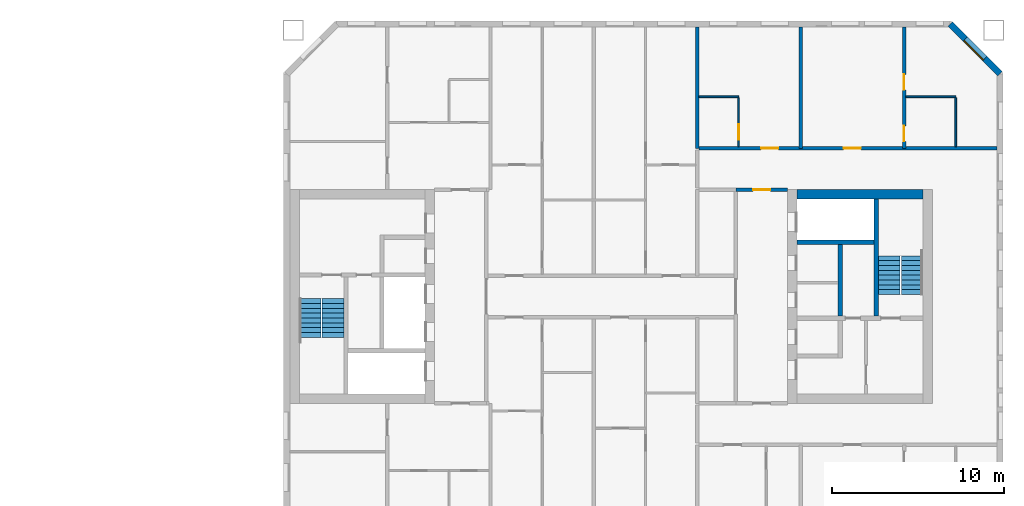
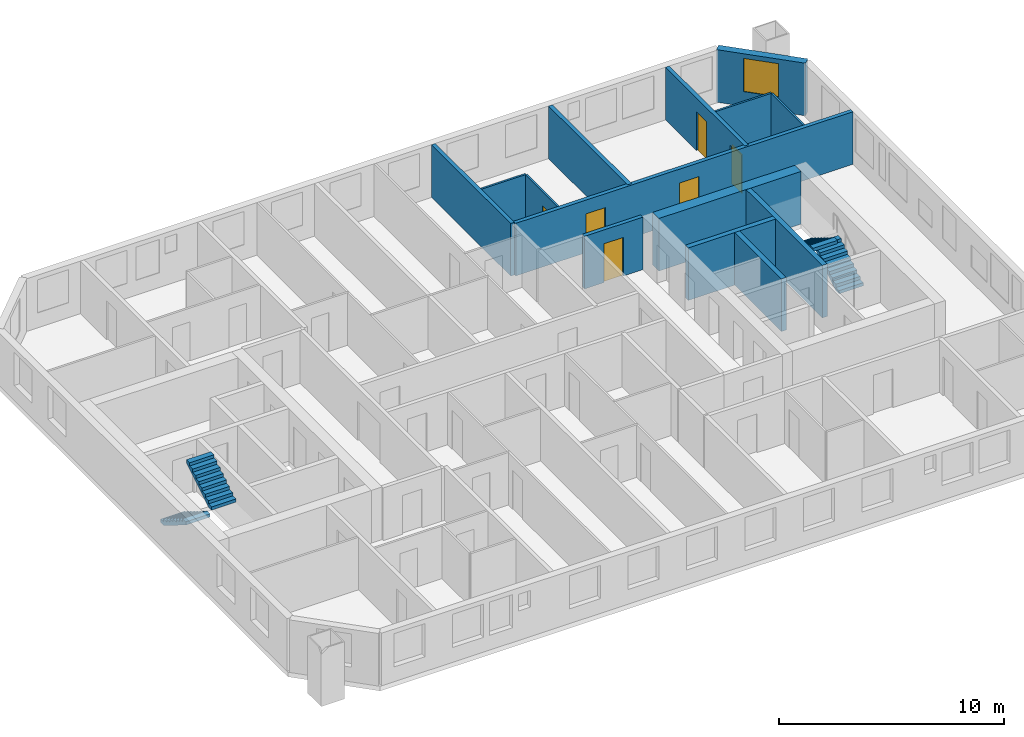
# One storey, part 14 of 16: 14 walls, 6 doors, 4 stair flights, 1 window, 7 openings, 2 elements without a shape of their own.
"""IFC4 building model written with IfcOpenShell, lengths in metres."""

from ifc_helpers import new_model, si_unit, direction, frame, frame_2d, origin, place, context, subcontext, project, spatial, polyline, rectangle, outline, extrude, material, layer, layer_set, type_object, element, fill, aggregate, save


model = new_model("IFC4")

# Units and contexts
model_context = context("Model", 3, precision=1e-05, world=origin(), true_north=direction((0.0, 1.0)))
body_context = subcontext(model_context, "Body", "Model", "MODEL_VIEW")
ifc_project = project(units=[si_unit("LENGTHUNIT", "METRE"), si_unit("AREAUNIT", "SQUARE_METRE"), si_unit("VOLUMEUNIT", "CUBIC_METRE"), si_unit("PLANEANGLEUNIT", "RADIAN"), si_unit("MASSUNIT", "GRAM", prefix="KILO")], contexts=[model_context])

# Site, building, storey
site_placement = place(None, origin())
site = spatial("IfcSite", under=ifc_project, at=site_placement, CompositionType="ELEMENT")
building_placement = place(site_placement, origin())
building = spatial("IfcBuilding", under=site, at=building_placement, Name="Tuart Gate Housing", CompositionType="ELEMENT")
storey_placement = place(building_placement, frame((0.0, 0.0, 129.89990234375)))
storey = spatial("IfcBuildingStorey", under=building, at=storey_placement, Name="L36", CompositionType="ELEMENT", Elevation=129.89990234375)

# Wall, opening, window
ifc_material_1 = material(Name="Brick", Category="masonry")
ifc_layer_1 = layer(ifc_material_1, 0.360107421875)
ifc_layer_set_1 = layer_set([ifc_layer_1], Name="Brick pier and spandrel wall 360")
wall_type_1 = type_object("IfcWallType", Name="Brick pier and spandrel wall 360", PredefinedType="STANDARD", material=ifc_layer_set_1)
wall_1_placement = place(storey_placement, frame((172.570068359375, 82.92529296875, 0.0), z_axis=(0.0, 0.0, 1.0), x_axis=(-0.707106781187, 0.707106781187, 0.0)))
wall_1 = element("IfcWall", 1, at=wall_1_placement, inside=storey, type_object=wall_type_1, Name="External wall B-NE L36", PredefinedType="STANDARD", context=body_context, shape_type="SweptSolid", body=[
    extrude(rectangle(XDim=4.09375, YDim=0.360107421875, at=frame_2d((2.046875, 0.0))), origin(), (0.0, 0.0, 1.0), 2.85009765625),
])
opening_1_placement = place(wall_1_placement, frame((1.2470703125, 0.0, 0.800048828125)))
opening_1 = element("IfcOpeningElement", 2, at=opening_1_placement, cuts=wall_1, Name="Opening W1", PredefinedType="OPENING", context=body_context, shape_type="SweptSolid", body=[
    extrude(rectangle(XDim=1.60009765625, YDim=1.800048828125, at=frame_2d((0.800048828125, 0.89990234375))), frame((0.0, 0.18994140625, 0.0), z_axis=(0.0, -1.0, 0.0), x_axis=(1.0, 0.0, 0.0)), (0.0, 0.0, 1.0), 0.380126953125),
])
ifc_material_2 = material(Name="Aluminium frame with clear glass", Category="aluminium")
window_type = type_object("IfcWindowType", Name="Punched window 1600 x 1800", PartitioningType="SINGLE_PANEL", PredefinedType="WINDOW", material=ifc_material_2)
window_placement = place(opening_1_placement, origin())
window = element("IfcWindow", 3, at=window_placement, inside=storey, type_object=window_type, Name="Window W1", OverallHeight=1.800048828125, OverallWidth=1.60009765625, PartitioningType="SINGLE_PANEL", PredefinedType="WINDOW", context=body_context, shape_type="SweptSolid", body=[
    extrude(rectangle(XDim=1.60009765625, YDim=1.800048828125, at=frame_2d((0.800048828125, 0.89990234375))), frame((0.0, 0.150146484375, 0.0), z_axis=(0.0, -1.0, 0.0), x_axis=(1.0, 0.0, 0.0)), (0.0, 0.0, 1.0), 0.06005859375),
])
fill(opening_1, window)

# Walls
ifc_material_3 = material(Name="Concrete C50", Category="concrete")
ifc_layer_2 = layer(ifc_material_3, 0.25)
ifc_layer_set_2 = layer_set([ifc_layer_2], Name="Core wall 250 C50")
wall_type_2 = type_object("IfcWallType", Name="Core wall 250 C50", PredefinedType="SHEAR", material=ifc_layer_set_2)
wall_2_placement = place(storey_placement, frame((160.7900390625, 73.14990234375, 0.0), z_axis=(0.0, 0.0, 1.0), x_axis=(1.0, 0.0, 0.0)))
element("IfcWall", 4, at=wall_2_placement, inside=storey, type_object=wall_type_2, Name="Core wall BK.1", PredefinedType="SHEAR", context=body_context, shape_type="SweptSolid", body=[
    extrude(rectangle(XDim=4.474853515625, YDim=0.25, at=frame_2d((2.2373046875, 0.0))), origin(), (0.0, 0.0, 1.0), 2.85009765625),
])
wall_3_placement = place(storey_placement, frame((163.2900390625, 73.02490234375, 0.0), z_axis=(0.0, 0.0, 1.0), x_axis=(0.0, -1.0, 0.0)))
element("IfcWall", 5, at=wall_3_placement, inside=storey, type_object=wall_type_2, Name="Core wall BK.5", PredefinedType="SHEAR", context=body_context, shape_type="SweptSolid", body=[
    extrude(rectangle(XDim=4.14990234375, YDim=0.25, at=frame_2d((2.074951171875, 0.0))), origin(), (0.0, 0.0, 1.0), 2.85009765625),
])
wall_4_placement = place(storey_placement, frame((165.389892578125, 75.64990234375, 0.0), z_axis=(0.0, 0.0, 1.0), x_axis=(0.0, -1.0, 0.0)))
element("IfcWall", 6, at=wall_4_placement, inside=storey, type_object=wall_type_2, Name="Core wall BK.8", PredefinedType="SHEAR", context=body_context, shape_type="SweptSolid", body=[
    extrude(rectangle(XDim=6.77490234375, YDim=0.25, at=frame_2d((3.387451171875, 0.0))), origin(), (0.0, 0.0, 1.0), 2.85009765625),
])
ifc_material_4 = material(Name="Concrete C50", Category="concrete")
ifc_layer_3 = layer(ifc_material_4, 0.550048828125)
ifc_layer_set_3 = layer_set([ifc_layer_3], Name="Core wall 550 C50")
wall_type_3 = type_object("IfcWallType", Name="Core wall 550 C50", PredefinedType="SHEAR", material=ifc_layer_set_3)
wall_5_placement = place(storey_placement, frame((160.7900390625, 75.925048828125, 0.0), z_axis=(0.0, 0.0, 1.0), x_axis=(1.0, 0.0, 0.0)))
element("IfcWall", 7, at=wall_5_placement, inside=storey, type_object=wall_type_3, Name="Core wall BK south", PredefinedType="SHEAR", context=body_context, shape_type="SweptSolid", body=[
    extrude(rectangle(XDim=7.300048828125, YDim=0.550048828125, at=frame_2d((3.64990234375, 0.0))), origin(), (0.0, 0.0, 1.0), 2.85009765625),
])

# Wall, openings, doors
ifc_material_5 = material(Name="Concrete masonry 15 MPa", Category="masonry")
ifc_layer_4 = layer(ifc_material_5, 0.199951171875)
ifc_layer_set_4 = layer_set([ifc_layer_4], Name="Corridor wall masonry 200")
wall_type_4 = type_object("IfcWallType", Name="Corridor wall masonry 200", PredefinedType="PARTITIONING", material=ifc_layer_set_4)
wall_6_placement = place(storey_placement, frame((155.10009765625, 78.60009765625, 0.0), z_axis=(0.0, 0.0, 1.0), x_axis=(1.0, 0.0, 0.0)))
wall_6 = element("IfcWall", 8, at=wall_6_placement, inside=storey, type_object=wall_type_4, Name="Corridor wall masonry 200", PredefinedType="PARTITIONING", context=body_context, shape_type="SweptSolid", body=[
    extrude(rectangle(XDim=17.289794921875, YDim=0.199951171875, at=frame_2d((8.64501953125, 0.0))), origin(), (0.0, 0.0, 1.0), 2.85009765625),
])
opening_2_placement = place(wall_6_placement, frame((3.60009765625, 0.0, 0.0)))
opening_2 = element("IfcOpeningElement", 9, at=opening_2_placement, cuts=wall_6, Name="Opening D1358", PredefinedType="OPENING", context=body_context, shape_type="SweptSolid", body=[
    extrude(rectangle(XDim=1.0, YDim=2.10009765625, at=frame_2d((0.5, 1.050048828125))), frame((0.0, 0.10986328125, 0.0), z_axis=(0.0, -1.0, 0.0), x_axis=(1.0, 0.0, 0.0)), (0.0, 0.0, 1.0), 0.219970703125),
])
opening_3_placement = place(wall_6_placement, frame((8.39990234375, 0.0, 0.0)))
opening_3 = element("IfcOpeningElement", 10, at=opening_3_placement, cuts=wall_6, Name="Opening D1359", PredefinedType="OPENING", context=body_context, shape_type="SweptSolid", body=[
    extrude(rectangle(XDim=1.0, YDim=2.10009765625, at=frame_2d((0.5, 1.050048828125))), frame((0.0, 0.10986328125, 0.0), z_axis=(0.0, -1.0, 0.0), x_axis=(1.0, 0.0, 0.0)), (0.0, 0.0, 1.0), 0.219970703125),
])
ifc_material_6 = material(Name="Timber door leaf in steel frame", Category="steel")
door_type_1 = type_object("IfcDoorType", Name="Flat entrance door 1000", OperationType="SINGLE_SWING_LEFT", PredefinedType="DOOR", material=ifc_material_6)
door_1_placement = place(opening_2_placement, origin())
door_1 = element("IfcDoor", 11, at=door_1_placement, inside=storey, type_object=door_type_1, Name="Flat entrance door", OperationType="SINGLE_SWING_LEFT", OverallHeight=2.10009765625, OverallWidth=1.0, PredefinedType="DOOR", context=body_context, shape_type="SweptSolid", body=[
    extrude(rectangle(XDim=1.0, YDim=2.10009765625, at=frame_2d((0.5, 1.050048828125))), frame((0.0, 0.02490234375, 0.0), z_axis=(0.0, -1.0, 0.0), x_axis=(1.0, 0.0, 0.0)), (0.0, 0.0, 1.0), 0.050048828125),
])
fill(opening_2, door_1)
door_2_placement = place(opening_3_placement, origin())
door_2 = element("IfcDoor", 12, at=door_2_placement, inside=storey, type_object=door_type_1, Name="Flat entrance door", OperationType="SINGLE_SWING_LEFT", OverallHeight=2.10009765625, OverallWidth=1.0, PredefinedType="DOOR", context=body_context, shape_type="SweptSolid", body=[
    extrude(rectangle(XDim=1.0, YDim=2.10009765625, at=frame_2d((0.5, 1.050048828125))), frame((0.0, 0.02490234375, 0.0), z_axis=(0.0, -1.0, 0.0), x_axis=(1.0, 0.0, 0.0)), (0.0, 0.0, 1.0), 0.050048828125),
])
fill(opening_3, door_2)

# Wall, opening, door
ifc_material_7 = material(Name="Concrete masonry 15 MPa", Category="masonry")
ifc_layer_5 = layer(ifc_material_7, 0.199951171875)
ifc_layer_set_5 = layer_set([ifc_layer_5], Name="Enclosure wall masonry 200")
wall_type_5 = type_object("IfcWallType", Name="Enclosure wall masonry 200", PredefinedType="PARTITIONING", material=ifc_layer_set_5)
wall_7_placement = place(storey_placement, frame((157.239990234375, 76.199951171875, 0.0), z_axis=(0.0, 0.0, 1.0), x_axis=(1.0, 0.0, 0.0)))
wall_7 = element("IfcWall", 13, at=wall_7_placement, inside=storey, type_object=wall_type_5, Name="Enclosure wall masonry 200", PredefinedType="PARTITIONING", context=body_context, shape_type="SweptSolid", body=[
    extrude(rectangle(XDim=3.0, YDim=0.199951171875, at=frame_2d((1.5, 0.0))), origin(), (0.0, 0.0, 1.0), 2.85009765625),
])
opening_4_placement = place(wall_7_placement, frame((1.0, 0.0, 0.0)))
opening_4 = element("IfcOpeningElement", 14, at=opening_4_placement, cuts=wall_7, Name="Opening D1367", PredefinedType="OPENING", context=body_context, shape_type="SweptSolid", body=[
    extrude(rectangle(XDim=1.0, YDim=2.10009765625, at=frame_2d((0.5, 1.050048828125))), frame((0.0, 0.10986328125, 0.0), z_axis=(0.0, -1.0, 0.0), x_axis=(1.0, 0.0, 0.0)), (0.0, 0.0, 1.0), 0.219970703125),
])
ifc_material_8 = material(Name="Timber door leaf in steel frame", Category="steel")
door_type_2 = type_object("IfcDoorType", Name="Fire door 1000", OperationType="SINGLE_SWING_LEFT", PredefinedType="DOOR", material=ifc_material_8)
door_3_placement = place(opening_4_placement, origin())
door_3 = element("IfcDoor", 15, at=door_3_placement, inside=storey, type_object=door_type_2, Name="Fire door", OperationType="SINGLE_SWING_LEFT", OverallHeight=2.10009765625, OverallWidth=1.0, PredefinedType="DOOR", context=body_context, shape_type="SweptSolid", body=[
    extrude(rectangle(XDim=1.0, YDim=2.10009765625, at=frame_2d((0.5, 1.050048828125))), frame((0.0, 0.02490234375, 0.0), z_axis=(0.0, -1.0, 0.0), x_axis=(1.0, 0.0, 0.0)), (0.0, 0.0, 1.0), 0.050048828125),
])
fill(opening_4, door_3)

# Walls
ifc_material_9 = material(Name="Gypsum board on steel studs", Category="steel")
ifc_layer_6 = layer(ifc_material_9, 0.10009765625)
ifc_layer_set_6 = layer_set([ifc_layer_6], Name="Partition 100")
wall_type_6 = type_object("IfcWallType", Name="Partition 100", PredefinedType="PARTITIONING", material=ifc_layer_set_6)
wall_8_placement = place(storey_placement, frame((155.10009765625, 81.60009765625, 0.0), z_axis=(0.0, 0.0, 1.0), x_axis=(1.0, 0.0, 0.0)))
element("IfcWall", 16, at=wall_8_placement, inside=storey, type_object=wall_type_6, Name="Partition 100", PredefinedType="PARTITIONING", context=body_context, shape_type="SweptSolid", body=[
    extrude(rectangle(XDim=2.2998046875, YDim=0.10009765625, at=frame_2d((1.14990234375, 0.0))), origin(), (0.0, 0.0, 1.0), 2.85009765625),
])
wall_9_placement = place(storey_placement, frame((167.10009765625, 81.60009765625, 0.0), z_axis=(0.0, 0.0, 1.0), x_axis=(1.0, 0.0, 0.0)))
element("IfcWall", 17, at=wall_9_placement, inside=storey, type_object=wall_type_6, Name="Partition 100", PredefinedType="PARTITIONING", context=body_context, shape_type="SweptSolid", body=[
    extrude(rectangle(XDim=2.89990234375, YDim=0.10009765625, at=frame_2d((1.449951171875, 0.0))), origin(), (0.0, 0.0, 1.0), 2.85009765625),
])

# Wall, opening, door
wall_10_placement = place(storey_placement, frame((157.39990234375, 78.699951171875, 0.0), z_axis=(0.0, 0.0, 1.0), x_axis=(0.0, 1.0, 0.0)))
wall_10 = element("IfcWall", 18, at=wall_10_placement, inside=storey, type_object=wall_type_6, Name="Partition 100", PredefinedType="PARTITIONING", context=body_context, shape_type="SweptSolid", body=[
    extrude(rectangle(XDim=2.85009765625, YDim=0.10009765625, at=frame_2d((1.425048828125, 0.0))), origin(), (0.0, 0.0, 1.0), 2.85009765625),
])
opening_5_placement = place(wall_10_placement, frame((0.39990234375, 0.0, 0.0)))
opening_5 = element("IfcOpeningElement", 19, at=opening_5_placement, cuts=wall_10, Name="Opening D1355", PredefinedType="OPENING", context=body_context, shape_type="SweptSolid", body=[
    extrude(rectangle(XDim=0.89990234375, YDim=2.10009765625, at=frame_2d((0.449951171875, 1.050048828125))), frame((0.0, 0.06005859375, 0.0), z_axis=(0.0, -1.0, 0.0), x_axis=(1.0, 0.0, 0.0)), (0.0, 0.0, 1.0), 0.1201171875),
])
ifc_material_10 = material(Name="Timber door leaf in steel frame", Category="steel")
door_type_3 = type_object("IfcDoorType", Name="Bathroom door 900", OperationType="SINGLE_SWING_LEFT", PredefinedType="DOOR", material=ifc_material_10)
door_4_placement = place(opening_5_placement, origin())
door_4 = element("IfcDoor", 20, at=door_4_placement, inside=storey, type_object=door_type_3, Name="Bathroom door", OperationType="SINGLE_SWING_LEFT", OverallHeight=2.10009765625, OverallWidth=0.89990234375, PredefinedType="DOOR", context=body_context, shape_type="SweptSolid", body=[
    extrude(rectangle(XDim=0.89990234375, YDim=2.10009765625, at=frame_2d((0.449951171875, 1.050048828125))), frame((0.0, 0.02490234375, 0.0), z_axis=(0.0, -1.0, 0.0), x_axis=(1.0, 0.0, 0.0)), (0.0, 0.0, 1.0), 0.050048828125),
])
fill(opening_5, door_4)

# Walls
wall_11_placement = place(storey_placement, frame((170.0, 78.699951171875, 0.0), z_axis=(0.0, 0.0, 1.0), x_axis=(0.0, 1.0, 0.0)))
element("IfcWall", 21, at=wall_11_placement, inside=storey, type_object=wall_type_6, Name="Partition 100", PredefinedType="PARTITIONING", context=body_context, shape_type="SweptSolid", body=[
    extrude(rectangle(XDim=2.85009765625, YDim=0.10009765625, at=frame_2d((1.425048828125, 0.0))), origin(), (0.0, 0.0, 1.0), 2.85009765625),
])
ifc_material_11 = material(Name="Concrete C40", Category="concrete")
ifc_layer_7 = layer(ifc_material_11, 0.199951171875)
ifc_layer_set_7 = layer_set([ifc_layer_7], Name="Party wall concrete C40 200")
wall_type_7 = type_object("IfcWallType", Name="Party wall concrete C40 200", PredefinedType="SOLIDWALL", material=ifc_layer_set_7)
for number, where, z_axis, x_axis, name in (
    (22, (155.0, 78.60009765625, 0.0), (0.0, 0.0, 1.0), (0.0, 1.0, 0.0), "Party wall concrete C40 200"),
    (23, (161.0, 78.60009765625, 0.0), (0.0, 0.0, 1.0), (0.0, 1.0, 0.0), "Party wall concrete C40 200"),
):
    element("IfcWall", number, at=place(storey_placement, frame(where, z_axis=z_axis, x_axis=x_axis)), inside=storey, type_object=wall_type_7, Name=name, PredefinedType="SOLIDWALL", context=body_context, shape_type="SweptSolid", body=[
        extrude(rectangle(XDim=7.039794921875, YDim=0.199951171875, at=frame_2d((3.52001953125, 0.0))), origin(), (0.0, 0.0, 1.0), 2.85009765625),
    ])

# Wall, openings, doors
wall_12_placement = place(storey_placement, frame((167.0, 78.60009765625, 0.0), z_axis=(0.0, 0.0, 1.0), x_axis=(0.0, 1.0, 0.0)))
wall_12 = element("IfcWall", 24, at=wall_12_placement, inside=storey, type_object=wall_type_7, Name="Party wall concrete C40 200", PredefinedType="SOLIDWALL", context=body_context, shape_type="SweptSolid", body=[
    extrude(rectangle(XDim=7.039794921875, YDim=0.199951171875, at=frame_2d((3.52001953125, 0.0))), origin(), (0.0, 0.0, 1.0), 2.85009765625),
])
opening_6_placement = place(wall_12_placement, frame((3.39990234375, 0.0, 0.0)))
opening_6 = element("IfcOpeningElement", 25, at=opening_6_placement, cuts=wall_12, Name="Opening D1352", PredefinedType="OPENING", context=body_context, shape_type="SweptSolid", body=[
    extrude(rectangle(XDim=0.89990234375, YDim=2.10009765625, at=frame_2d((0.449951171875, 1.050048828125))), frame((0.0, 0.10986328125, 0.0), z_axis=(0.0, -1.0, 0.0), x_axis=(1.0, 0.0, 0.0)), (0.0, 0.0, 1.0), 0.219970703125),
])
opening_7_placement = place(wall_12_placement, frame((0.39990234375, 0.0, 0.0)))
opening_7 = element("IfcOpeningElement", 26, at=opening_7_placement, cuts=wall_12, Name="Opening D1351", PredefinedType="OPENING", context=body_context, shape_type="SweptSolid", body=[
    extrude(rectangle(XDim=0.89990234375, YDim=2.10009765625, at=frame_2d((0.449951171875, 1.050048828125))), frame((0.0, 0.10986328125, 0.0), z_axis=(0.0, -1.0, 0.0), x_axis=(1.0, 0.0, 0.0)), (0.0, 0.0, 1.0), 0.219970703125),
])
ifc_material_12 = material(Name="Timber door leaf in steel frame", Category="steel")
door_type_4 = type_object("IfcDoorType", Name="Bathroom door 900 RH", OperationType="SINGLE_SWING_RIGHT", PredefinedType="DOOR", material=ifc_material_12)
door_5_placement = place(opening_7_placement, frame((0.89990234375, 0.0, 0.0), z_axis=(0.0, 0.0, 1.0), x_axis=(-1.0, 0.0, 0.0)))
door_5 = element("IfcDoor", 27, at=door_5_placement, inside=storey, type_object=door_type_4, Name="Bathroom door", OperationType="SINGLE_SWING_RIGHT", OverallHeight=2.10009765625, OverallWidth=0.89990234375, PredefinedType="DOOR", context=body_context, shape_type="SweptSolid", body=[
    extrude(rectangle(XDim=0.89990234375, YDim=2.10009765625, at=frame_2d((0.449951171875, 1.050048828125))), frame((0.0, 0.025146484375, 0.0), z_axis=(0.0, -1.0, 0.0), x_axis=(1.0, 0.0, 0.0)), (0.0, 0.0, 1.0), 0.050048828125),
])
fill(opening_7, door_5)
ifc_material_13 = material(Name="Timber door leaf in steel frame", Category="steel")
door_type_5 = type_object("IfcDoorType", Name="Internal door 900 RH", OperationType="SINGLE_SWING_RIGHT", PredefinedType="DOOR", material=ifc_material_13)
door_6_placement = place(opening_6_placement, frame((0.89990234375, 0.0, 0.0), z_axis=(0.0, 0.0, 1.0), x_axis=(-1.0, 0.0, 0.0)))
door_6 = element("IfcDoor", 28, at=door_6_placement, inside=storey, type_object=door_type_5, Name="Internal door", OperationType="SINGLE_SWING_RIGHT", OverallHeight=2.10009765625, OverallWidth=0.89990234375, PredefinedType="DOOR", context=body_context, shape_type="SweptSolid", body=[
    extrude(rectangle(XDim=0.89990234375, YDim=2.10009765625, at=frame_2d((0.449951171875, 1.050048828125))), frame((0.0, 0.025146484375, 0.0), z_axis=(0.0, -1.0, 0.0), x_axis=(1.0, 0.0, 0.0)), (0.0, 0.0, 1.0), 0.050048828125),
])
fill(opening_6, door_6)

# Stair, stair flights
ifc_material_14 = material(Name="Concrete C40", Category="concrete")
stair_type = type_object("IfcStairType", Name="Core stair 1250", PredefinedType="HALF_TURN_STAIR", material=ifc_material_14)
stair_1_placement = place(storey_placement, origin())
stair_1 = element("IfcStair", 29, at=stair_1_placement, inside=storey, type_object=stair_type, Name="Stair SB1", PredefinedType="HALF_TURN_STAIR")
ifc_material_15 = material(Name="Concrete C40", Category="concrete")
stair_flight_type = type_object("IfcStairFlightType", Name="Stair flight 1250, 9 risers 172 x 280", PredefinedType="STRAIGHT", material=ifc_material_15)
stair_flight_1_placement = place(storey_placement, frame((132.534912109375, 69.875, 0.0), z_axis=(0.0, 0.0, 1.0), x_axis=(0.0, -1.0, 0.0)))
stair_flight_1 = element("IfcStairFlight", 30, at=stair_flight_1_placement, type_object=stair_flight_type, Name="SB1 flight 1", NumberOfRisers=9, NumberOfTreads=8, PredefinedType="STRAIGHT", RiserHeight=0.172222222, TreadLength=0.28, context=body_context, shape_type="SweptSolid", body=[
    extrude(outline(polyline([(0.0, 0.0), (0.0, 0.172119140625), (0.280029296875, 0.172119140625), (0.280029296875, 0.344482421875), (0.56005859375, 0.344482421875), (0.56005859375, 0.5166015625), (0.840087890625, 0.5166015625), (0.840087890625, 0.68896484375), (1.1201171875, 0.68896484375), (1.1201171875, 0.861083984375), (1.39990234375, 0.861083984375), (1.39990234375, 1.033447265625), (1.679931640625, 1.033447265625), (1.679931640625, 1.20556640625), (1.9599609375, 1.20556640625), (1.9599609375, 1.377685546875), (2.239990234375, 1.377685546875), (2.239990234375, 1.550048828125), (2.239990234375, 1.201904296875), (0.2861328125, 0.0), (0.0, 0.0)])), frame((0.0, 0.625, 0.0), z_axis=(0.0, -1.0, 0.0), x_axis=(1.0, 0.0, 0.0)), (0.0, 0.0, 1.0), 1.25),
])
stair_flight_2_placement = place(storey_placement, frame((133.860107421875, 67.635009765625, 1.550048828125), z_axis=(0.0, 0.0, 1.0), x_axis=(0.0, 1.0, 0.0)))
stair_flight_2 = element("IfcStairFlight", 31, at=stair_flight_2_placement, type_object=stair_flight_type, Name="SB1 flight 2", NumberOfRisers=9, NumberOfTreads=8, PredefinedType="STRAIGHT", RiserHeight=0.172222222, TreadLength=0.28, context=body_context, shape_type="SweptSolid", body=[
    extrude(outline(polyline([(0.0, 0.0), (0.0, 0.172119140625), (0.280029296875, 0.172119140625), (0.280029296875, 0.344482421875), (0.56005859375, 0.344482421875), (0.56005859375, 0.5166015625), (0.840087890625, 0.5166015625), (0.840087890625, 0.68896484375), (1.1201171875, 0.68896484375), (1.1201171875, 0.861083984375), (1.39990234375, 0.861083984375), (1.39990234375, 1.033447265625), (1.679931640625, 1.033447265625), (1.679931640625, 1.20556640625), (1.9599609375, 1.20556640625), (1.9599609375, 1.377685546875), (2.239990234375, 1.377685546875), (2.239990234375, 1.550048828125), (2.239990234375, 1.201904296875), (0.2861328125, 0.0), (0.0, 0.0)])), frame((0.0, 0.625, 0.0), z_axis=(0.0, -1.0, 0.0), x_axis=(1.0, 0.0, 0.0)), (0.0, 0.0, 1.0), 1.25),
])
aggregate(stair_1, [stair_flight_1, stair_flight_2])

stair_2_placement = place(storey_placement, origin())
stair_2 = element("IfcStair", 32, at=stair_2_placement, inside=storey, type_object=stair_type, Name="Stair SB2", PredefinedType="HALF_TURN_STAIR")
stair_flight_3_placement = place(storey_placement, frame((167.465087890625, 70.125, 0.0), z_axis=(0.0, 0.0, 1.0), x_axis=(0.0, 1.0, 0.0)))
stair_flight_3 = element("IfcStairFlight", 33, at=stair_flight_3_placement, type_object=stair_flight_type, Name="SB2 flight 1", NumberOfRisers=9, NumberOfTreads=8, PredefinedType="STRAIGHT", RiserHeight=0.172222222, TreadLength=0.28, context=body_context, shape_type="SweptSolid", body=[
    extrude(outline(polyline([(0.0, 0.0), (0.0, 0.172119140625), (0.280029296875, 0.172119140625), (0.280029296875, 0.344482421875), (0.56005859375, 0.344482421875), (0.56005859375, 0.5166015625), (0.840087890625, 0.5166015625), (0.840087890625, 0.68896484375), (1.1201171875, 0.68896484375), (1.1201171875, 0.861083984375), (1.39990234375, 0.861083984375), (1.39990234375, 1.033447265625), (1.679931640625, 1.033447265625), (1.679931640625, 1.20556640625), (1.9599609375, 1.20556640625), (1.9599609375, 1.377685546875), (2.239990234375, 1.377685546875), (2.239990234375, 1.550048828125), (2.239990234375, 1.201904296875), (0.2861328125, 0.0), (0.0, 0.0)])), frame((0.0, 0.625, 0.0), z_axis=(0.0, -1.0, 0.0), x_axis=(1.0, 0.0, 0.0)), (0.0, 0.0, 1.0), 1.25),
])
stair_flight_4_placement = place(storey_placement, frame((166.139892578125, 72.364990234375, 1.550048828125), z_axis=(0.0, 0.0, 1.0), x_axis=(0.0, -1.0, 0.0)))
stair_flight_4 = element("IfcStairFlight", 34, at=stair_flight_4_placement, type_object=stair_flight_type, Name="SB2 flight 2", NumberOfRisers=9, NumberOfTreads=8, PredefinedType="STRAIGHT", RiserHeight=0.172222222, TreadLength=0.28, context=body_context, shape_type="SweptSolid", body=[
    extrude(outline(polyline([(0.0, 0.0), (0.0, 0.172119140625), (0.280029296875, 0.172119140625), (0.280029296875, 0.344482421875), (0.56005859375, 0.344482421875), (0.56005859375, 0.5166015625), (0.840087890625, 0.5166015625), (0.840087890625, 0.68896484375), (1.1201171875, 0.68896484375), (1.1201171875, 0.861083984375), (1.39990234375, 0.861083984375), (1.39990234375, 1.033447265625), (1.679931640625, 1.033447265625), (1.679931640625, 1.20556640625), (1.9599609375, 1.20556640625), (1.9599609375, 1.377685546875), (2.239990234375, 1.377685546875), (2.239990234375, 1.550048828125), (2.239990234375, 1.201904296875), (0.2861328125, 0.0), (0.0, 0.0)])), frame((0.0, 0.625, 0.0), z_axis=(0.0, -1.0, 0.0), x_axis=(1.0, 0.0, 0.0)), (0.0, 0.0, 1.0), 1.25),
])
aggregate(stair_2, [stair_flight_3, stair_flight_4])

save(model, "model.ifc")
